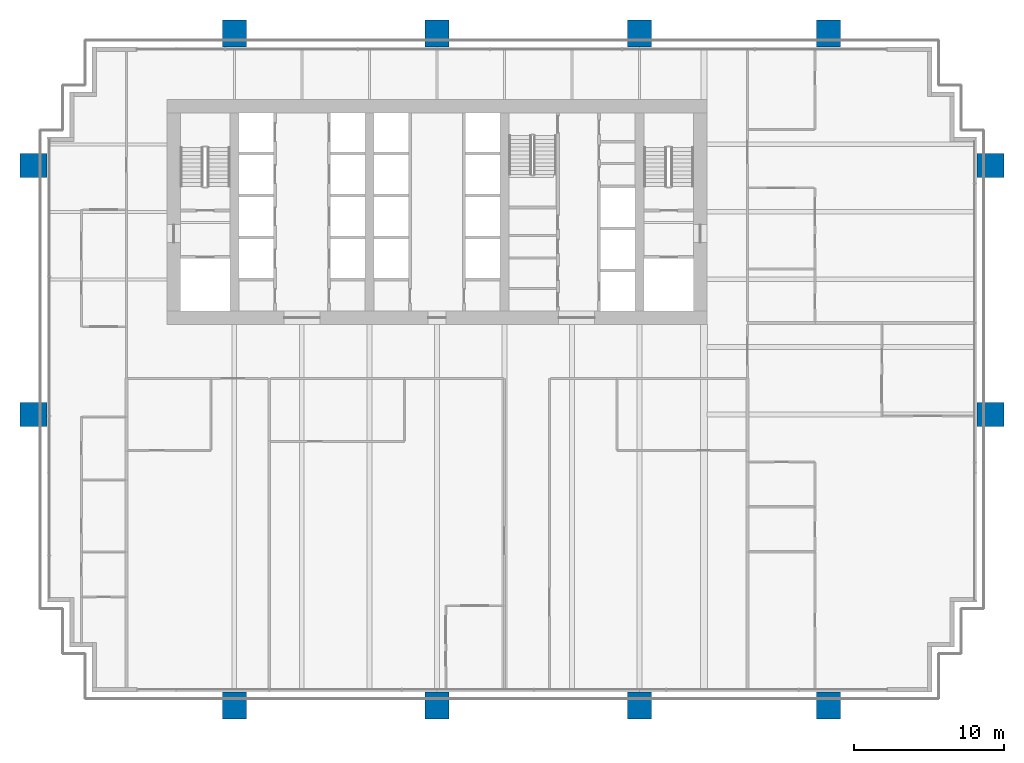
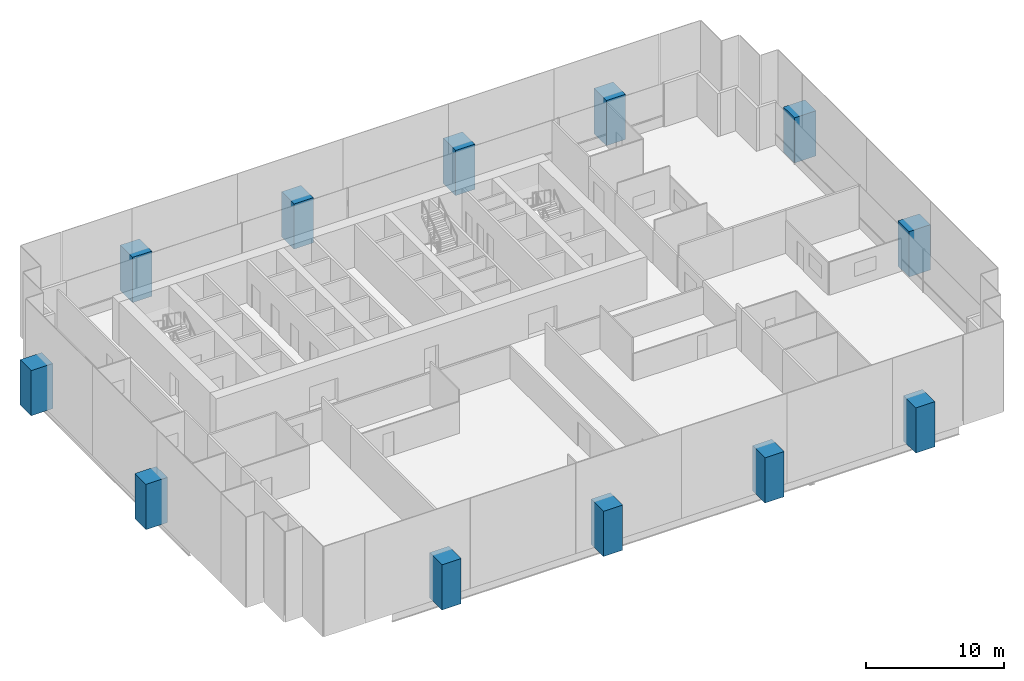
# One storey, part 1 of 19: 12 columns.
"""IFC4 building model written with IfcOpenShell, lengths in metres."""

from ifc_helpers import new_model, si_unit, direction, frame, origin, origin_2d, place, context, subcontext, project, spatial, rectangle, extrude, material, material_profile, profile_set, type_object, element, save


model = new_model("IFC4")

# Units and contexts
model_context = context("Model", 3, precision=1e-05, world=origin(), true_north=direction((0.0, 1.0)))
body_context = subcontext(model_context, "Body", "Model", "MODEL_VIEW")
ifc_project = project(units=[si_unit("LENGTHUNIT", "METRE"), si_unit("AREAUNIT", "SQUARE_METRE"), si_unit("VOLUMEUNIT", "CUBIC_METRE"), si_unit("PLANEANGLEUNIT", "RADIAN"), si_unit("MASSUNIT", "GRAM", prefix="KILO")], contexts=[model_context])

# Site, building, storey
site_placement = place(None, origin())
site = spatial("IfcSite", under=ifc_project, at=site_placement, CompositionType="ELEMENT")
building_placement = place(site_placement, origin())
building = spatial("IfcBuilding", under=site, at=building_placement, Name="Rattan Terrace Tower", CompositionType="ELEMENT")
storey_placement = place(building_placement, frame((0.0, 0.0, 91.699951171875)))
storey = spatial("IfcBuildingStorey", under=building, at=storey_placement, Name="L20", CompositionType="ELEMENT", Elevation=91.699951171875)

# Columns
ifc_material = material(Name="Concrete C60/75", Category="concrete")
ifc_material_profile = material_profile(ifc_material, rectangle(XDim=1.60009765625, YDim=1.800048828125, at=origin_2d()), Name="CFT 1800x1600")
ifc_profile_set = profile_set([ifc_material_profile], Name="Concrete C60/75")
column_type = type_object("IfcColumnType", Name="Frame exoskeleton column CFT 1800x1600", PredefinedType="COLUMN", material=ifc_profile_set)
for number, where, z_axis, x_axis, name in (
    (1, (-13.5, -32.89990234375, -0.199951171875), (0.0, 0.0, 1.0), (1.0, 0.0, 0.0), "exo-L20-001"),
    (2, (0.0, -32.89990234375, -0.199951171875), (0.0, 0.0, 1.0), (1.0, 0.0, 0.0), "exo-L20-002"),
    (3, (13.5, -32.89990234375, -0.199951171875), (0.0, 0.0, 1.0), (1.0, 0.0, 0.0), "exo-L20-003"),
    (4, (26.10009765625, -32.89990234375, -0.199951171875), (0.0, 0.0, 1.0), (1.0, 0.0, 0.0), "exo-L20-004"),
    (5, (-26.89990234375, -13.5, -0.199951171875), (0.0, 0.0, 1.0), (0.0, 1.0, 0.0), "exo-L20-005"),
    (6, (36.89990234375, -13.5, -0.199951171875), (0.0, 0.0, 1.0), (0.0, 1.0, 0.0), "exo-L20-006"),
    (7, (-26.89990234375, 3.10009765625, -0.199951171875), (0.0, 0.0, 1.0), (0.0, 1.0, 0.0), "exo-L20-007"),
    (8, (36.89990234375, 3.10009765625, -0.199951171875), (0.0, 0.0, 1.0), (0.0, 1.0, 0.0), "exo-L20-008"),
    (9, (-13.5, 11.89990234375, -0.199951171875), (0.0, 0.0, 1.0), (1.0, 0.0, 0.0), "exo-L20-009"),
    (10, (0.0, 11.89990234375, -0.199951171875), (0.0, 0.0, 1.0), (1.0, 0.0, 0.0), "exo-L20-010"),
    (11, (13.5, 11.89990234375, -0.199951171875), (0.0, 0.0, 1.0), (1.0, 0.0, 0.0), "exo-L20-011"),
    (12, (26.10009765625, 11.89990234375, -0.199951171875), (0.0, 0.0, 1.0), (1.0, 0.0, 0.0), "exo-L20-012"),
):
    element("IfcColumn", number, at=place(storey_placement, frame(where, z_axis=z_axis, x_axis=x_axis)), inside=storey, type_object=column_type, Name=name, PredefinedType="COLUMN", context=body_context, shape_type="SweptSolid", body=[
        extrude(rectangle(XDim=1.60009765625, YDim=1.800048828125, at=origin_2d()), origin(), (0.0, 0.0, 1.0), 4.0),
    ])

save(model, "model.ifc")
